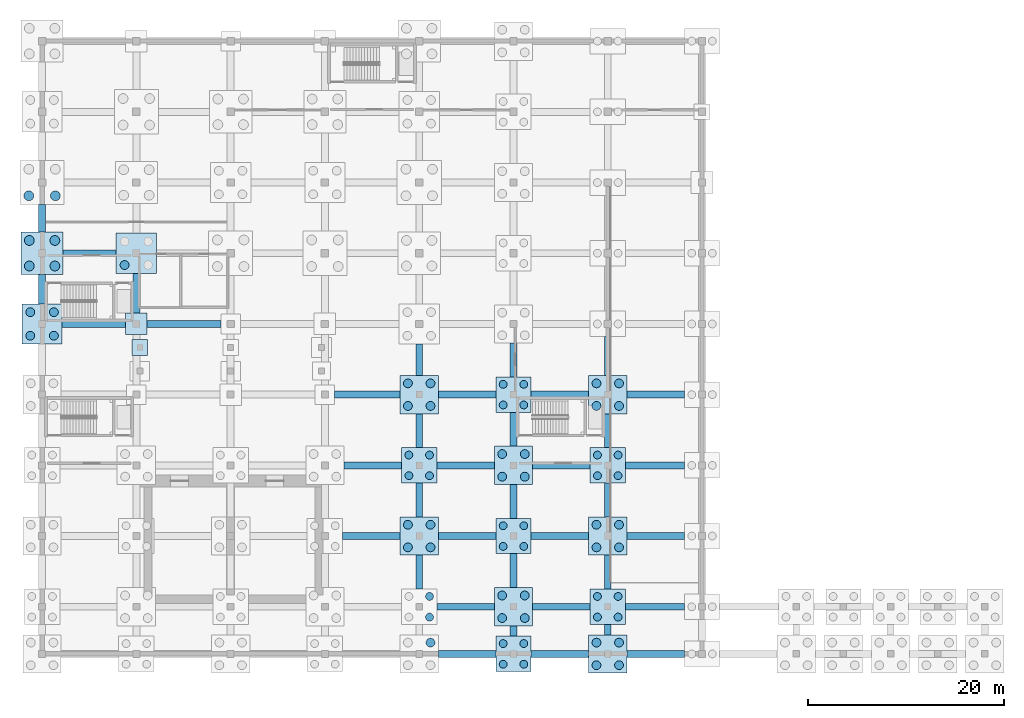
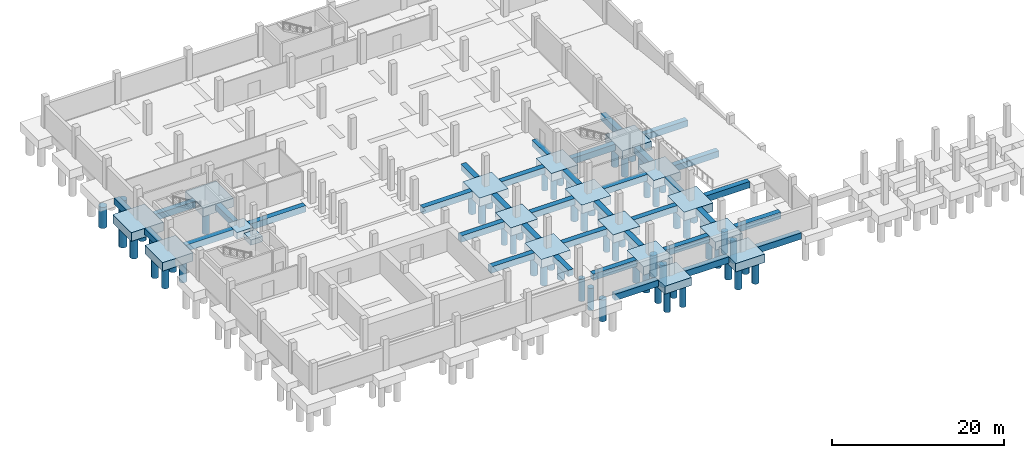
# One storey, part 2 of 13: 66 piles, 56 footings.
"""IFC4 building model written with IfcOpenShell, lengths in metres."""

from ifc_helpers import new_model, si_unit, direction, frame, origin, origin_2d, place, context, subcontext, project, spatial, rectangle, circle, extrude, material, material_profile, profile_set, type_object, element, save


model = new_model("IFC4")

# Units and contexts
model_context = context("Model", 3, precision=1e-05, world=origin(), true_north=direction((0.0, 1.0)))
body_context = subcontext(model_context, "Body", "Model", "MODEL_VIEW")
ifc_project = project(units=[si_unit("LENGTHUNIT", "METRE"), si_unit("AREAUNIT", "SQUARE_METRE"), si_unit("VOLUMEUNIT", "CUBIC_METRE"), si_unit("PLANEANGLEUNIT", "RADIAN"), si_unit("MASSUNIT", "GRAM", prefix="KILO")], contexts=[model_context])

# Site, building, storey
site_placement = place(None, origin())
site = spatial("IfcSite", under=ifc_project, at=site_placement, CompositionType="ELEMENT")
building_placement = place(site_placement, origin())
building = spatial("IfcBuilding", under=site, at=building_placement, Name="Asteropetra Specialist Clinic", CompositionType="ELEMENT")
storey_placement = place(building_placement, frame((0.0, 0.0, -4.419921875)))
storey = spatial("IfcBuildingStorey", under=building, at=storey_placement, Name="B1", CompositionType="ELEMENT", Elevation=-4.419921875)

# Footings
ifc_material_1 = material(Name="Concrete C35/45", Category="concrete")
ifc_material_profile_1 = material_profile(ifc_material_1, rectangle(XDim=0.699951171875, YDim=0.89990234375, at=origin_2d()), Name="FB 700x900")
ifc_profile_set_1 = profile_set([ifc_material_profile_1], Name="Concrete C35/45")
footing_type_1 = type_object("IfcFootingType", Name="FB-700x900", PredefinedType="FOOTING_BEAM", material=ifc_profile_set_1)
footing_1_placement = place(storey_placement, frame((2.050048828125, 33.60009765625, -0.4501953125), z_axis=(1.0, 0.0, 0.0), x_axis=(0.0, 1.0, 0.0)))
element("IfcFooting", 1, at=footing_1_placement, inside=storey, type_object=footing_type_1, Name="Footing Tie Beam FB-0011", PredefinedType="FOOTING_BEAM", context=body_context, shape_type="SweptSolid", body=[
    extrude(rectangle(XDim=0.699951171875, YDim=0.89990234375, at=origin_2d()), origin(), (0.0, 0.0, 1.0), 6.449951171875),
])
footing_2_placement = place(storey_placement, frame((0.0, 35.64990234375, -0.4501953125), z_axis=(0.0, 1.0, 0.0), x_axis=(-1.0, 0.0, 0.0)))
element("IfcFooting", 2, at=footing_2_placement, inside=storey, type_object=footing_type_1, Name="Footing Tie Beam FB-0012", PredefinedType="FOOTING_BEAM", context=body_context, shape_type="SweptSolid", body=[
    extrude(rectangle(XDim=0.699951171875, YDim=0.89990234375, at=origin_2d()), origin(), (0.0, 0.0, 1.0), 3.0),
])
footing_3_placement = place(storey_placement, frame((2.14990234375, 40.800048828125, -0.4501953125), z_axis=(1.0, 0.0, 0.0), x_axis=(0.0, 1.0, 0.0)))
element("IfcFooting", 3, at=footing_3_placement, inside=storey, type_object=footing_type_1, Name="Footing Tie Beam FB-0013", PredefinedType="FOOTING_BEAM", context=body_context, shape_type="SweptSolid", body=[
    extrude(rectangle(XDim=0.699951171875, YDim=0.89990234375, at=origin_2d()), origin(), (0.0, 0.0, 1.0), 5.400146484375),
])
footing_4_placement = place(storey_placement, frame((0.0, 42.949951171875, -0.4501953125), z_axis=(0.0, 1.0, 0.0), x_axis=(-1.0, 0.0, 0.0)))
element("IfcFooting", 4, at=footing_4_placement, inside=storey, type_object=footing_type_1, Name="Footing Tie Beam FB-0014", PredefinedType="FOOTING_BEAM", context=body_context, shape_type="SweptSolid", body=[
    extrude(rectangle(XDim=0.699951171875, YDim=0.89990234375, at=origin_2d()), origin(), (0.0, 0.0, 1.0), 2.800048828125),
])
footing_5_placement = place(storey_placement, frame((10.699951171875, 33.60009765625, -0.4501953125), z_axis=(1.0, 0.0, 0.0), x_axis=(0.0, 1.0, 0.0)))
element("IfcFooting", 5, at=footing_5_placement, inside=storey, type_object=footing_type_1, Name="Footing Tie Beam FB-0043", PredefinedType="FOOTING_BEAM", context=body_context, shape_type="SweptSolid", body=[
    extrude(rectangle(XDim=0.699951171875, YDim=0.89990234375, at=origin_2d()), origin(), (0.0, 0.0, 1.0), 7.5),
])
footing_6_placement = place(storey_placement, frame((9.60009765625, 34.699951171875, -0.4501953125), z_axis=(0.0, 1.0, 0.0), x_axis=(-1.0, 0.0, 0.0)))
element("IfcFooting", 6, at=footing_6_placement, inside=storey, type_object=footing_type_1, Name="Footing Tie Beam FB-0044", PredefinedType="FOOTING_BEAM", context=body_context, shape_type="SweptSolid", body=[
    extrude(rectangle(XDim=0.699951171875, YDim=0.89990234375, at=origin_2d()), origin(), (0.0, 0.0, 1.0), 4.050048828125),
])
footing_7_placement = place(storey_placement, frame((30.60009765625, 12.0, -0.4501953125), z_axis=(1.0, 0.0, 0.0), x_axis=(0.0, 1.0, 0.0)))
element("IfcFooting", 7, at=footing_7_placement, inside=storey, type_object=footing_type_1, Name="Footing Tie Beam FB-0094", PredefinedType="FOOTING_BEAM", context=body_context, shape_type="SweptSolid", body=[
    extrude(rectangle(XDim=0.699951171875, YDim=0.89990234375, at=origin_2d()), origin(), (0.0, 0.0, 1.0), 5.849853515625),
])
footing_8_placement = place(storey_placement, frame((30.75, 19.199951171875, -0.4501953125), z_axis=(1.0, 0.0, 0.0), x_axis=(0.0, 1.0, 0.0)))
element("IfcFooting", 8, at=footing_8_placement, inside=storey, type_object=footing_type_1, Name="Footing Tie Beam FB-0096", PredefinedType="FOOTING_BEAM", context=body_context, shape_type="SweptSolid", body=[
    extrude(rectangle(XDim=0.699951171875, YDim=0.89990234375, at=origin_2d()), origin(), (0.0, 0.0, 1.0), 5.85009765625),
])
footing_9_placement = place(storey_placement, frame((29.800048828125, 26.39990234375, -0.4501953125), z_axis=(1.0, 0.0, 0.0), x_axis=(0.0, 1.0, 0.0)))
element("IfcFooting", 9, at=footing_9_placement, inside=storey, type_object=footing_type_1, Name="Footing Tie Beam FB-0098", PredefinedType="FOOTING_BEAM", context=body_context, shape_type="SweptSolid", body=[
    extrude(rectangle(XDim=0.699951171875, YDim=0.89990234375, at=origin_2d()), origin(), (0.0, 0.0, 1.0), 6.64990234375),
])
footing_10_placement = place(storey_placement, frame((40.35009765625, 0.0, -0.4501953125), z_axis=(1.0, 0.0, 0.0), x_axis=(0.0, 1.0, 0.0)))
element("IfcFooting", 10, at=footing_10_placement, inside=storey, type_object=footing_type_1, Name="Footing Tie Beam FB-0122", PredefinedType="FOOTING_BEAM", context=body_context, shape_type="SweptSolid", body=[
    extrude(rectangle(XDim=0.699951171875, YDim=0.89990234375, at=origin_2d()), origin(), (0.0, 0.0, 1.0), 5.849853515625),
])
footing_11_placement = place(storey_placement, frame((40.199951171875, 4.800048828125, -0.4501953125), z_axis=(1.0, 0.0, 0.0), x_axis=(0.0, 1.0, 0.0)))
element("IfcFooting", 11, at=footing_11_placement, inside=storey, type_object=footing_type_1, Name="Footing Tie Beam FB-0124", PredefinedType="FOOTING_BEAM", context=body_context, shape_type="SweptSolid", body=[
    extrude(rectangle(XDim=0.699951171875, YDim=0.89990234375, at=origin_2d()), origin(), (0.0, 0.0, 1.0), 5.85009765625),
])
footing_12_placement = place(storey_placement, frame((38.39990234375, 6.60009765625, -0.4501953125), z_axis=(0.0, 1.0, 0.0), x_axis=(-1.0, 0.0, 0.0)))
element("IfcFooting", 12, at=footing_12_placement, inside=storey, type_object=footing_type_1, Name="Footing Tie Beam FB-0125", PredefinedType="FOOTING_BEAM", context=body_context, shape_type="SweptSolid", body=[
    extrude(rectangle(XDim=0.699951171875, YDim=0.89990234375, at=origin_2d()), origin(), (0.0, 0.0, 1.0), 3.449951171875),
])
footing_13_placement = place(storey_placement, frame((40.35009765625, 12.0, -0.4501953125), z_axis=(1.0, 0.0, 0.0), x_axis=(0.0, 1.0, 0.0)))
element("IfcFooting", 13, at=footing_13_placement, inside=storey, type_object=footing_type_1, Name="Footing Tie Beam FB-0126", PredefinedType="FOOTING_BEAM", context=body_context, shape_type="SweptSolid", body=[
    extrude(rectangle(XDim=0.699951171875, YDim=0.89990234375, at=origin_2d()), origin(), (0.0, 0.0, 1.0), 5.849853515625),
])
footing_14_placement = place(storey_placement, frame((38.39990234375, 13.949951171875, -0.4501953125), z_axis=(0.0, 1.0, 0.0), x_axis=(-1.0, 0.0, 0.0)))
element("IfcFooting", 14, at=footing_14_placement, inside=storey, type_object=footing_type_1, Name="Footing Tie Beam FB-0127", PredefinedType="FOOTING_BEAM", context=body_context, shape_type="SweptSolid", body=[
    extrude(rectangle(XDim=0.699951171875, YDim=0.89990234375, at=origin_2d()), origin(), (0.0, 0.0, 1.0), 3.449951171875),
])
footing_15_placement = place(storey_placement, frame((40.199951171875, 19.199951171875, -0.4501953125), z_axis=(1.0, 0.0, 0.0), x_axis=(0.0, 1.0, 0.0)))
element("IfcFooting", 15, at=footing_15_placement, inside=storey, type_object=footing_type_1, Name="Footing Tie Beam FB-0128", PredefinedType="FOOTING_BEAM", context=body_context, shape_type="SweptSolid", body=[
    extrude(rectangle(XDim=0.699951171875, YDim=0.89990234375, at=origin_2d()), origin(), (0.0, 0.0, 1.0), 5.85009765625),
])
footing_16_placement = place(storey_placement, frame((38.39990234375, 21.0, -0.4501953125), z_axis=(0.0, 1.0, 0.0), x_axis=(-1.0, 0.0, 0.0)))
element("IfcFooting", 16, at=footing_16_placement, inside=storey, type_object=footing_type_1, Name="Footing Tie Beam FB-0129", PredefinedType="FOOTING_BEAM", context=body_context, shape_type="SweptSolid", body=[
    extrude(rectangle(XDim=0.699951171875, YDim=0.89990234375, at=origin_2d()), origin(), (0.0, 0.0, 1.0), 3.449951171875),
])
footing_17_placement = place(storey_placement, frame((40.35009765625, 26.39990234375, -0.4501953125), z_axis=(1.0, 0.0, 0.0), x_axis=(0.0, 1.0, 0.0)))
element("IfcFooting", 17, at=footing_17_placement, inside=storey, type_object=footing_type_1, Name="Footing Tie Beam FB-0130", PredefinedType="FOOTING_BEAM", context=body_context, shape_type="SweptSolid", body=[
    extrude(rectangle(XDim=0.699951171875, YDim=0.89990234375, at=origin_2d()), origin(), (0.0, 0.0, 1.0), 5.849853515625),
])
footing_18_placement = place(storey_placement, frame((38.39990234375, 28.35009765625, -0.4501953125), z_axis=(0.0, 1.0, 0.0), x_axis=(-1.0, 0.0, 0.0)))
element("IfcFooting", 18, at=footing_18_placement, inside=storey, type_object=footing_type_1, Name="Footing Tie Beam FB-0131", PredefinedType="FOOTING_BEAM", context=body_context, shape_type="SweptSolid", body=[
    extrude(rectangle(XDim=0.699951171875, YDim=0.89990234375, at=origin_2d()), origin(), (0.0, 0.0, 1.0), 3.199951171875),
])
footing_19_placement = place(storey_placement, frame((49.800048828125, 0.0, -0.4501953125), z_axis=(1.0, 0.0, 0.0), x_axis=(0.0, 1.0, 0.0)))
element("IfcFooting", 19, at=footing_19_placement, inside=storey, type_object=footing_type_1, Name="Footing Tie Beam FB-0154", PredefinedType="FOOTING_BEAM", context=body_context, shape_type="SweptSolid", body=[
    extrude(rectangle(XDim=0.699951171875, YDim=0.89990234375, at=origin_2d()), origin(), (0.0, 0.0, 1.0), 5.849853515625),
])
footing_20_placement = place(storey_placement, frame((48.0, 1.800048828125, -0.4501953125), z_axis=(0.0, 1.0, 0.0), x_axis=(-1.0, 0.0, 0.0)))
element("IfcFooting", 20, at=footing_20_placement, inside=storey, type_object=footing_type_1, Name="Footing Tie Beam FB-0155", PredefinedType="FOOTING_BEAM", context=body_context, shape_type="SweptSolid", body=[
    extrude(rectangle(XDim=0.699951171875, YDim=0.89990234375, at=origin_2d()), origin(), (0.0, 0.0, 1.0), 1.050048828125),
])
footing_21_placement = place(storey_placement, frame((49.949951171875, 4.800048828125, -0.4501953125), z_axis=(1.0, 0.0, 0.0), x_axis=(0.0, 1.0, 0.0)))
element("IfcFooting", 21, at=footing_21_placement, inside=storey, type_object=footing_type_1, Name="Footing Tie Beam FB-0156", PredefinedType="FOOTING_BEAM", context=body_context, shape_type="SweptSolid", body=[
    extrude(rectangle(XDim=0.699951171875, YDim=0.89990234375, at=origin_2d()), origin(), (0.0, 0.0, 1.0), 5.85009765625),
])
footing_22_placement = place(storey_placement, frame((48.0, 6.75, -0.4501953125), z_axis=(0.0, 1.0, 0.0), x_axis=(-1.0, 0.0, 0.0)))
element("IfcFooting", 22, at=footing_22_placement, inside=storey, type_object=footing_type_1, Name="Footing Tie Beam FB-0157", PredefinedType="FOOTING_BEAM", context=body_context, shape_type="SweptSolid", body=[
    extrude(rectangle(XDim=0.699951171875, YDim=0.89990234375, at=origin_2d()), origin(), (0.0, 0.0, 1.0), 3.449951171875),
])
footing_23_placement = place(storey_placement, frame((49.800048828125, 12.0, -0.4501953125), z_axis=(1.0, 0.0, 0.0), x_axis=(0.0, 1.0, 0.0)))
element("IfcFooting", 23, at=footing_23_placement, inside=storey, type_object=footing_type_1, Name="Footing Tie Beam FB-0158", PredefinedType="FOOTING_BEAM", context=body_context, shape_type="SweptSolid", body=[
    extrude(rectangle(XDim=0.699951171875, YDim=0.89990234375, at=origin_2d()), origin(), (0.0, 0.0, 1.0), 5.849853515625),
])
footing_24_placement = place(storey_placement, frame((48.0, 13.800048828125, -0.4501953125), z_axis=(0.0, 1.0, 0.0), x_axis=(-1.0, 0.0, 0.0)))
element("IfcFooting", 24, at=footing_24_placement, inside=storey, type_object=footing_type_1, Name="Footing Tie Beam FB-0159", PredefinedType="FOOTING_BEAM", context=body_context, shape_type="SweptSolid", body=[
    extrude(rectangle(XDim=0.699951171875, YDim=0.89990234375, at=origin_2d()), origin(), (0.0, 0.0, 1.0), 3.449951171875),
])
footing_25_placement = place(storey_placement, frame((49.949951171875, 19.199951171875, -0.4501953125), z_axis=(1.0, 0.0, 0.0), x_axis=(0.0, 1.0, 0.0)))
element("IfcFooting", 25, at=footing_25_placement, inside=storey, type_object=footing_type_1, Name="Footing Tie Beam FB-0160", PredefinedType="FOOTING_BEAM", context=body_context, shape_type="SweptSolid", body=[
    extrude(rectangle(XDim=0.699951171875, YDim=0.89990234375, at=origin_2d()), origin(), (0.0, 0.0, 1.0), 5.85009765625),
])
footing_26_placement = place(storey_placement, frame((48.0, 21.14990234375, -0.4501953125), z_axis=(0.0, 1.0, 0.0), x_axis=(-1.0, 0.0, 0.0)))
element("IfcFooting", 26, at=footing_26_placement, inside=storey, type_object=footing_type_1, Name="Footing Tie Beam FB-0161", PredefinedType="FOOTING_BEAM", context=body_context, shape_type="SweptSolid", body=[
    extrude(rectangle(XDim=0.699951171875, YDim=0.89990234375, at=origin_2d()), origin(), (0.0, 0.0, 1.0), 3.4501953125),
])
footing_27_placement = place(storey_placement, frame((49.800048828125, 26.39990234375, -0.4501953125), z_axis=(1.0, 0.0, 0.0), x_axis=(0.0, 1.0, 0.0)))
element("IfcFooting", 27, at=footing_27_placement, inside=storey, type_object=footing_type_1, Name="Footing Tie Beam FB-0162", PredefinedType="FOOTING_BEAM", context=body_context, shape_type="SweptSolid", body=[
    extrude(rectangle(XDim=0.699951171875, YDim=0.89990234375, at=origin_2d()), origin(), (0.0, 0.0, 1.0), 5.849853515625),
])
footing_28_placement = place(storey_placement, frame((48.0, 28.199951171875, -0.4501953125), z_axis=(0.0, 1.0, 0.0), x_axis=(-1.0, 0.0, 0.0)))
element("IfcFooting", 28, at=footing_28_placement, inside=storey, type_object=footing_type_1, Name="Footing Tie Beam FB-0163", PredefinedType="FOOTING_BEAM", context=body_context, shape_type="SweptSolid", body=[
    extrude(rectangle(XDim=0.699951171875, YDim=0.89990234375, at=origin_2d()), origin(), (0.0, 0.0, 1.0), 3.449951171875),
])
footing_29_placement = place(storey_placement, frame((59.550048828125, 0.0, -0.4501953125), z_axis=(1.0, 0.0, 0.0), x_axis=(0.0, 1.0, 0.0)))
element("IfcFooting", 29, at=footing_29_placement, inside=storey, type_object=footing_type_1, Name="Footing Tie Beam FB-0183", PredefinedType="FOOTING_BEAM", context=body_context, shape_type="SweptSolid", body=[
    extrude(rectangle(XDim=0.699951171875, YDim=0.89990234375, at=origin_2d()), origin(), (0.0, 0.0, 1.0), 5.849853515625),
])
footing_30_placement = place(storey_placement, frame((57.60009765625, 1.949951171875, -0.4501953125), z_axis=(0.0, 1.0, 0.0), x_axis=(-1.0, 0.0, 0.0)))
element("IfcFooting", 30, at=footing_30_placement, inside=storey, type_object=footing_type_1, Name="Footing Tie Beam FB-0184", PredefinedType="FOOTING_BEAM", context=body_context, shape_type="SweptSolid", body=[
    extrude(rectangle(XDim=0.699951171875, YDim=0.89990234375, at=origin_2d()), origin(), (0.0, 0.0, 1.0), 1.050048828125),
])
footing_31_placement = place(storey_placement, frame((59.39990234375, 4.800048828125, -0.4501953125), z_axis=(1.0, 0.0, 0.0), x_axis=(0.0, 1.0, 0.0)))
element("IfcFooting", 31, at=footing_31_placement, inside=storey, type_object=footing_type_1, Name="Footing Tie Beam FB-0185", PredefinedType="FOOTING_BEAM", context=body_context, shape_type="SweptSolid", body=[
    extrude(rectangle(XDim=0.699951171875, YDim=0.89990234375, at=origin_2d()), origin(), (0.0, 0.0, 1.0), 6.0),
])
footing_32_placement = place(storey_placement, frame((57.60009765625, 6.60009765625, -0.4501953125), z_axis=(0.0, 1.0, 0.0), x_axis=(-1.0, 0.0, 0.0)))
element("IfcFooting", 32, at=footing_32_placement, inside=storey, type_object=footing_type_1, Name="Footing Tie Beam FB-0186", PredefinedType="FOOTING_BEAM", context=body_context, shape_type="SweptSolid", body=[
    extrude(rectangle(XDim=0.699951171875, YDim=0.89990234375, at=origin_2d()), origin(), (0.0, 0.0, 1.0), 3.449951171875),
])
footing_33_placement = place(storey_placement, frame((59.550048828125, 12.0, -0.4501953125), z_axis=(1.0, 0.0, 0.0), x_axis=(0.0, 1.0, 0.0)))
element("IfcFooting", 33, at=footing_33_placement, inside=storey, type_object=footing_type_1, Name="Footing Tie Beam FB-0187", PredefinedType="FOOTING_BEAM", context=body_context, shape_type="SweptSolid", body=[
    extrude(rectangle(XDim=0.699951171875, YDim=0.89990234375, at=origin_2d()), origin(), (0.0, 0.0, 1.0), 5.849853515625),
])
footing_34_placement = place(storey_placement, frame((57.60009765625, 13.949951171875, -0.4501953125), z_axis=(0.0, 1.0, 0.0), x_axis=(-1.0, 0.0, 0.0)))
element("IfcFooting", 34, at=footing_34_placement, inside=storey, type_object=footing_type_1, Name="Footing Tie Beam FB-0188", PredefinedType="FOOTING_BEAM", context=body_context, shape_type="SweptSolid", body=[
    extrude(rectangle(XDim=0.699951171875, YDim=0.89990234375, at=origin_2d()), origin(), (0.0, 0.0, 1.0), 3.449951171875),
])
footing_35_placement = place(storey_placement, frame((59.39990234375, 19.199951171875, -0.4501953125), z_axis=(1.0, 0.0, 0.0), x_axis=(0.0, 1.0, 0.0)))
element("IfcFooting", 35, at=footing_35_placement, inside=storey, type_object=footing_type_1, Name="Footing Tie Beam FB-0189", PredefinedType="FOOTING_BEAM", context=body_context, shape_type="SweptSolid", body=[
    extrude(rectangle(XDim=0.699951171875, YDim=0.89990234375, at=origin_2d()), origin(), (0.0, 0.0, 1.0), 6.0),
])
footing_36_placement = place(storey_placement, frame((57.60009765625, 21.0, -0.4501953125), z_axis=(0.0, 1.0, 0.0), x_axis=(-1.0, 0.0, 0.0)))
element("IfcFooting", 36, at=footing_36_placement, inside=storey, type_object=footing_type_1, Name="Footing Tie Beam FB-0190", PredefinedType="FOOTING_BEAM", context=body_context, shape_type="SweptSolid", body=[
    extrude(rectangle(XDim=0.699951171875, YDim=0.89990234375, at=origin_2d()), origin(), (0.0, 0.0, 1.0), 3.449951171875),
])
footing_37_placement = place(storey_placement, frame((59.550048828125, 26.39990234375, -0.4501953125), z_axis=(1.0, 0.0, 0.0), x_axis=(0.0, 1.0, 0.0)))
element("IfcFooting", 37, at=footing_37_placement, inside=storey, type_object=footing_type_1, Name="Footing Tie Beam FB-0191", PredefinedType="FOOTING_BEAM", context=body_context, shape_type="SweptSolid", body=[
    extrude(rectangle(XDim=0.699951171875, YDim=0.89990234375, at=origin_2d()), origin(), (0.0, 0.0, 1.0), 5.849853515625),
])
footing_38_placement = place(storey_placement, frame((57.60009765625, 28.35009765625, -0.4501953125), z_axis=(0.0, 1.0, 0.0), x_axis=(-1.0, 0.0, 0.0)))
element("IfcFooting", 38, at=footing_38_placement, inside=storey, type_object=footing_type_1, Name="Footing Tie Beam FB-0192", PredefinedType="FOOTING_BEAM", context=body_context, shape_type="SweptSolid", body=[
    extrude(rectangle(XDim=0.699951171875, YDim=0.89990234375, at=origin_2d()), origin(), (0.0, 0.0, 1.0), 3.949951171875),
])
ifc_material_2 = material(Name="Concrete C35/45", Category="concrete")
footing_type_2 = type_object("IfcFootingType", Name="PC-2800", PredefinedType="PILE_CAP", material=ifc_material_2)
for number, where, z_axis, x_axis, name in (
    (39, (38.39990234375, 19.199951171875, -1.150146484375), (0.0, 0.0, 1.0), (1.0, 0.0, 0.0), "Pile Cap PC-02-082"),
    (40, (48.0, 0.0, -1.150146484375), (0.0, 0.0, 1.0), (1.0, 0.0, 0.0), "Pile Cap PC-02-096"),
    (41, (48.0, 12.0, -1.150146484375), (0.0, 0.0, 1.0), (1.0, 0.0, 0.0), "Pile Cap PC-02-098"),
    (42, (48.0, 26.39990234375, -1.150146484375), (0.0, 0.0, 1.0), (1.0, 0.0, 0.0), "Pile Cap PC-02-100"),
    (43, (57.60009765625, 4.800048828125, -1.150146484375), (0.0, 0.0, 1.0), (1.0, 0.0, 0.0), "Pile Cap PC-02-114"),
    (44, (57.60009765625, 19.199951171875, -1.150146484375), (0.0, 0.0, 1.0), (1.0, 0.0, 0.0), "Pile Cap PC-02-116"),
):
    element("IfcFooting", number, at=place(storey_placement, frame(where, z_axis=z_axis, x_axis=x_axis)), inside=storey, type_object=footing_type_2, Name=name, PredefinedType="PILE_CAP", context=body_context, shape_type="SweptSolid", body=[
        extrude(rectangle(XDim=3.60009765625, YDim=3.60009765625, at=origin_2d()), origin(), (0.0, 0.0, 1.0), 1.14990234375),
    ])
ifc_material_3 = material(Name="Concrete C35/45", Category="concrete")
footing_type_3 = type_object("IfcFootingType", Name="PC-3000", PredefinedType="PILE_CAP", material=ifc_material_3)
for number, where, z_axis, x_axis, name in (
    (45, (38.39990234375, 12.0, -1.2001953125), (0.0, 0.0, 1.0), (1.0, 0.0, 0.0), "Pile Cap PC-03-081"),
    (46, (38.39990234375, 26.39990234375, -1.2001953125), (0.0, 0.0, 1.0), (1.0, 0.0, 0.0), "Pile Cap PC-03-083"),
    (47, (48.0, 4.800048828125, -1.2001953125), (0.0, 0.0, 1.0), (1.0, 0.0, 0.0), "Pile Cap PC-03-097"),
    (48, (48.0, 19.199951171875, -1.2001953125), (0.0, 0.0, 1.0), (1.0, 0.0, 0.0), "Pile Cap PC-03-099"),
    (49, (57.60009765625, 0.0, -1.2001953125), (0.0, 0.0, 1.0), (1.0, 0.0, 0.0), "Pile Cap PC-03-113"),
    (50, (57.60009765625, 12.0, -1.2001953125), (0.0, 0.0, 1.0), (1.0, 0.0, 0.0), "Pile Cap PC-03-115"),
    (51, (57.60009765625, 26.39990234375, -1.2001953125), (0.0, 0.0, 1.0), (1.0, 0.0, 0.0), "Pile Cap PC-03-117"),
):
    element("IfcFooting", number, at=place(storey_placement, frame(where, z_axis=z_axis, x_axis=x_axis)), inside=storey, type_object=footing_type_3, Name=name, PredefinedType="PILE_CAP", context=body_context, shape_type="SweptSolid", body=[
        extrude(rectangle(XDim=3.89990234375, YDim=3.89990234375, at=origin_2d()), origin(), (0.0, 0.0, 1.0), 1.199951171875),
    ])
ifc_material_4 = material(Name="Concrete C35/45", Category="concrete")
footing_type_4 = type_object("IfcFootingType", Name="PC-3200", PredefinedType="PILE_CAP", material=ifc_material_4)
for number, where, z_axis, x_axis, name in (
    (52, (0.0, 33.60009765625, -1.2001953125), (0.0, 0.0, 1.0), (1.0, 0.0, 0.0), "Pile Cap PC-04-006"),
    (53, (9.60009765625, 40.800048828125, -1.2001953125), (0.0, 0.0, 1.0), (1.0, 0.0, 0.0), "Pile Cap PC-04-024"),
):
    element("IfcFooting", number, at=place(storey_placement, frame(where, z_axis=z_axis, x_axis=x_axis)), inside=storey, type_object=footing_type_4, Name=name, PredefinedType="PILE_CAP", context=body_context, shape_type="SweptSolid", body=[
        extrude(rectangle(XDim=4.10009765625, YDim=4.10009765625, at=origin_2d()), origin(), (0.0, 0.0, 1.0), 1.199951171875),
    ])
ifc_material_5 = material(Name="Concrete C35/45", Category="concrete")
footing_type_5 = type_object("IfcFootingType", Name="PC-3400", PredefinedType="PILE_CAP", material=ifc_material_5)
footing_39_placement = place(storey_placement, frame((0.0, 40.800048828125, -1.25), z_axis=(0.0, 0.0, 1.0), x_axis=(1.0, 0.0, 0.0)))
element("IfcFooting", 54, at=footing_39_placement, inside=storey, type_object=footing_type_5, Name="Pile Cap PC-05-007", PredefinedType="PILE_CAP", context=body_context, shape_type="SweptSolid", body=[
    extrude(rectangle(XDim=4.300048828125, YDim=4.300048828125, at=origin_2d()), origin(), (0.0, 0.0, 1.0), 1.25),
])
ifc_material_6 = material(Name="Concrete C35/45", Category="concrete")
footing_type_6 = type_object("IfcFootingType", Name="PF-1600", PredefinedType="PAD_FOOTING", material=ifc_material_6)
footing_40_placement = place(storey_placement, frame((9.949951171875, 31.199951171875, -0.75), z_axis=(0.0, 0.0, 1.0), x_axis=(1.0, 0.0, 0.0)))
element("IfcFooting", 55, at=footing_40_placement, inside=storey, type_object=footing_type_6, Name="Pad Footing PF-01-036", PredefinedType="PAD_FOOTING", context=body_context, shape_type="SweptSolid", body=[
    extrude(rectangle(XDim=1.60009765625, YDim=1.60009765625, at=origin_2d()), origin(), (0.0, 0.0, 1.0), 0.75),
])
ifc_material_7 = material(Name="Concrete C35/45", Category="concrete")
footing_type_7 = type_object("IfcFootingType", Name="PF-2200", PredefinedType="PAD_FOOTING", material=ifc_material_7)
footing_41_placement = place(storey_placement, frame((9.60009765625, 33.60009765625, -0.900146484375), z_axis=(0.0, 0.0, 1.0), x_axis=(1.0, 0.0, 0.0)))
element("IfcFooting", 56, at=footing_41_placement, inside=storey, type_object=footing_type_7, Name="Pad Footing PF-04-023", PredefinedType="PAD_FOOTING", context=body_context, shape_type="SweptSolid", body=[
    extrude(rectangle(XDim=2.199951171875, YDim=2.199951171875, at=origin_2d()), origin(), (0.0, 0.0, 1.0), 0.89990234375),
])

# Piles
ifc_material_8 = material(Name="Concrete C35/45", Category="concrete")
ifc_material_profile_2 = material_profile(ifc_material_8, circle(Radius=0.5, at=origin_2d()), Name="PILE D1000")
ifc_profile_set_2 = profile_set([ifc_material_profile_2], Name="Concrete C35/45")
pile_type_1 = type_object("IfcPileType", Name="PILE-B1000", PredefinedType="BORED", material=ifc_profile_set_2)
for number, where, z_axis, x_axis, name in (
    (57, (-1.300048828125, 39.5, -1.150146484375), (0.0, 0.0, -1.0), (1.0, 0.0, 0.0), "Bored Pile PPL03-007-1"),
    (58, (1.300048828125, 39.5, -1.150146484375), (0.0, 0.0, -1.0), (1.0, 0.0, 0.0), "Bored Pile PPL03-007-2"),
    (59, (-1.300048828125, 42.10009765625, -1.150146484375), (0.0, 0.0, -1.0), (1.0, 0.0, 0.0), "Bored Pile PPL03-007-3"),
    (60, (1.300048828125, 42.10009765625, -1.150146484375), (0.0, 0.0, -1.0), (1.0, 0.0, 0.0), "Bored Pile PPL03-007-4"),
):
    element("IfcPile", number, at=place(storey_placement, frame(where, z_axis=z_axis, x_axis=x_axis)), inside=storey, type_object=pile_type_1, Name=name, PredefinedType="BORED", context=body_context, shape_type="SweptSolid", body=[
        extrude(circle(Radius=0.5, at=origin_2d()), origin(), (0.0, 0.0, 1.0), 3.050048828125),
    ])
for number, where, z_axis, x_axis, name in (
    (61, (-1.35009765625, 46.64990234375, -1.2001953125), (0.0, 0.0, -1.0), (1.0, 0.0, 0.0), "Bored Pile PPL03-008-1"),
    (62, (1.35009765625, 46.64990234375, -1.2001953125), (0.0, 0.0, -1.0), (1.0, 0.0, 0.0), "Bored Pile PPL03-008-2"),
):
    element("IfcPile", number, at=place(storey_placement, frame(where, z_axis=z_axis, x_axis=x_axis)), inside=storey, type_object=pile_type_1, Name=name, PredefinedType="BORED", context=body_context, shape_type="SweptSolid", body=[
        extrude(circle(Radius=0.5, at=origin_2d()), origin(), (0.0, 0.0, 1.0), 3.0),
    ])
ifc_material_9 = material(Name="Concrete C35/45", Category="concrete")
ifc_material_profile_3 = material_profile(ifc_material_9, circle(Radius=0.39990234375, at=origin_2d()), Name="PILE D800")
ifc_profile_set_3 = profile_set([ifc_material_profile_3], Name="Concrete C35/45")
pile_type_2 = type_object("IfcPileType", Name="PILE-B800", PredefinedType="BORED", material=ifc_profile_set_3)
for number, where, z_axis, x_axis, name in (
    (63, (39.449951171875, 3.75, -1.050048828125), (0.0, 0.0, -1.0), (1.0, 0.0, 0.0), "Bored Pile PPL01-080-2"),
    (64, (39.449951171875, 5.85009765625, -1.050048828125), (0.0, 0.0, -1.0), (1.0, 0.0, 0.0), "Bored Pile PPL01-080-4"),
    (65, (37.35009765625, 18.14990234375, -1.050048828125), (0.0, 0.0, -1.0), (1.0, 0.0, 0.0), "Bored Pile PPL01-082-1"),
    (66, (39.449951171875, 18.14990234375, -1.050048828125), (0.0, 0.0, -1.0), (1.0, 0.0, 0.0), "Bored Pile PPL01-082-2"),
    (67, (37.35009765625, 20.25, -1.050048828125), (0.0, 0.0, -1.0), (1.0, 0.0, 0.0), "Bored Pile PPL01-082-3"),
    (68, (39.449951171875, 20.25, -1.050048828125), (0.0, 0.0, -1.0), (1.0, 0.0, 0.0), "Bored Pile PPL01-082-4"),
    (69, (46.949951171875, -1.050048828125, -1.050048828125), (0.0, 0.0, -1.0), (1.0, 0.0, 0.0), "Bored Pile PPL01-096-1"),
    (70, (49.050048828125, -1.050048828125, -1.050048828125), (0.0, 0.0, -1.0), (1.0, 0.0, 0.0), "Bored Pile PPL01-096-2"),
    (71, (46.949951171875, 1.050048828125, -1.050048828125), (0.0, 0.0, -1.0), (1.0, 0.0, 0.0), "Bored Pile PPL01-096-3"),
    (72, (49.050048828125, 1.050048828125, -1.050048828125), (0.0, 0.0, -1.0), (1.0, 0.0, 0.0), "Bored Pile PPL01-096-4"),
    (73, (46.949951171875, 10.949951171875, -1.050048828125), (0.0, 0.0, -1.0), (1.0, 0.0, 0.0), "Bored Pile PPL01-098-1"),
    (74, (49.050048828125, 10.949951171875, -1.050048828125), (0.0, 0.0, -1.0), (1.0, 0.0, 0.0), "Bored Pile PPL01-098-2"),
    (75, (46.949951171875, 13.050048828125, -1.050048828125), (0.0, 0.0, -1.0), (1.0, 0.0, 0.0), "Bored Pile PPL01-098-3"),
    (76, (49.050048828125, 13.050048828125, -1.050048828125), (0.0, 0.0, -1.0), (1.0, 0.0, 0.0), "Bored Pile PPL01-098-4"),
    (77, (46.949951171875, 25.35009765625, -1.050048828125), (0.0, 0.0, -1.0), (1.0, 0.0, 0.0), "Bored Pile PPL01-100-1"),
    (78, (49.050048828125, 25.35009765625, -1.050048828125), (0.0, 0.0, -1.0), (1.0, 0.0, 0.0), "Bored Pile PPL01-100-2"),
    (79, (46.949951171875, 27.449951171875, -1.050048828125), (0.0, 0.0, -1.0), (1.0, 0.0, 0.0), "Bored Pile PPL01-100-3"),
    (80, (49.050048828125, 27.449951171875, -1.050048828125), (0.0, 0.0, -1.0), (1.0, 0.0, 0.0), "Bored Pile PPL01-100-4"),
    (81, (56.550048828125, 3.75, -1.050048828125), (0.0, 0.0, -1.0), (1.0, 0.0, 0.0), "Bored Pile PPL01-114-1"),
    (82, (58.64990234375, 3.75, -1.050048828125), (0.0, 0.0, -1.0), (1.0, 0.0, 0.0), "Bored Pile PPL01-114-2"),
    (83, (56.550048828125, 5.85009765625, -1.050048828125), (0.0, 0.0, -1.0), (1.0, 0.0, 0.0), "Bored Pile PPL01-114-3"),
    (84, (58.64990234375, 5.85009765625, -1.050048828125), (0.0, 0.0, -1.0), (1.0, 0.0, 0.0), "Bored Pile PPL01-114-4"),
    (85, (56.550048828125, 18.14990234375, -1.050048828125), (0.0, 0.0, -1.0), (1.0, 0.0, 0.0), "Bored Pile PPL01-116-1"),
    (86, (58.64990234375, 18.14990234375, -1.050048828125), (0.0, 0.0, -1.0), (1.0, 0.0, 0.0), "Bored Pile PPL01-116-2"),
    (87, (56.550048828125, 20.25, -1.050048828125), (0.0, 0.0, -1.0), (1.0, 0.0, 0.0), "Bored Pile PPL01-116-3"),
    (88, (58.64990234375, 20.25, -1.050048828125), (0.0, 0.0, -1.0), (1.0, 0.0, 0.0), "Bored Pile PPL01-116-4"),
):
    element("IfcPile", number, at=place(storey_placement, frame(where, z_axis=z_axis, x_axis=x_axis)), inside=storey, type_object=pile_type_2, Name=name, PredefinedType="BORED", context=body_context, shape_type="SweptSolid", body=[
        extrude(circle(Radius=0.39990234375, at=origin_2d()), origin(), (0.0, 0.0, 1.0), 3.14990234375),
    ])
ifc_material_10 = material(Name="Concrete C35/45", Category="concrete")
ifc_material_profile_4 = material_profile(ifc_material_10, circle(Radius=0.449951171875, at=origin_2d()), Name="PILE D900")
ifc_profile_set_4 = profile_set([ifc_material_profile_4], Name="Concrete C35/45")
pile_type_3 = type_object("IfcPileType", Name="PILE-B900", PredefinedType="BORED", material=ifc_profile_set_4)
for number, where, z_axis, x_axis, name in (
    (89, (-1.199951171875, 32.39990234375, -1.10009765625), (0.0, 0.0, -1.0), (1.0, 0.0, 0.0), "Bored Pile PPL02-006-1"),
    (90, (1.199951171875, 32.39990234375, -1.10009765625), (0.0, 0.0, -1.0), (1.0, 0.0, 0.0), "Bored Pile PPL02-006-2"),
    (91, (-1.199951171875, 34.800048828125, -1.10009765625), (0.0, 0.0, -1.0), (1.0, 0.0, 0.0), "Bored Pile PPL02-006-3"),
    (92, (1.199951171875, 34.800048828125, -1.10009765625), (0.0, 0.0, -1.0), (1.0, 0.0, 0.0), "Bored Pile PPL02-006-4"),
    (93, (8.39990234375, 39.60009765625, -1.10009765625), (0.0, 0.0, -1.0), (1.0, 0.0, 0.0), "Bored Pile PPL02-024-1"),
    (94, (39.550048828125, 1.14990234375, -1.10009765625), (0.0, 0.0, -1.0), (1.0, 0.0, 0.0), "Bored Pile PPL02-079-4"),
    (95, (37.25, 10.85009765625, -1.10009765625), (0.0, 0.0, -1.0), (1.0, 0.0, 0.0), "Bored Pile PPL02-081-1"),
    (96, (39.550048828125, 10.85009765625, -1.10009765625), (0.0, 0.0, -1.0), (1.0, 0.0, 0.0), "Bored Pile PPL02-081-2"),
    (97, (37.25, 13.14990234375, -1.10009765625), (0.0, 0.0, -1.0), (1.0, 0.0, 0.0), "Bored Pile PPL02-081-3"),
    (98, (39.550048828125, 13.14990234375, -1.10009765625), (0.0, 0.0, -1.0), (1.0, 0.0, 0.0), "Bored Pile PPL02-081-4"),
    (99, (37.25, 25.25, -1.10009765625), (0.0, 0.0, -1.0), (1.0, 0.0, 0.0), "Bored Pile PPL02-083-1"),
    (100, (39.550048828125, 25.25, -1.10009765625), (0.0, 0.0, -1.0), (1.0, 0.0, 0.0), "Bored Pile PPL02-083-2"),
    (101, (37.25, 27.550048828125, -1.10009765625), (0.0, 0.0, -1.0), (1.0, 0.0, 0.0), "Bored Pile PPL02-083-3"),
    (102, (39.550048828125, 27.550048828125, -1.10009765625), (0.0, 0.0, -1.0), (1.0, 0.0, 0.0), "Bored Pile PPL02-083-4"),
    (103, (46.85009765625, 3.64990234375, -1.10009765625), (0.0, 0.0, -1.0), (1.0, 0.0, 0.0), "Bored Pile PPL02-097-1"),
    (104, (49.14990234375, 3.64990234375, -1.10009765625), (0.0, 0.0, -1.0), (1.0, 0.0, 0.0), "Bored Pile PPL02-097-2"),
    (105, (46.85009765625, 5.949951171875, -1.10009765625), (0.0, 0.0, -1.0), (1.0, 0.0, 0.0), "Bored Pile PPL02-097-3"),
    (106, (49.14990234375, 5.949951171875, -1.10009765625), (0.0, 0.0, -1.0), (1.0, 0.0, 0.0), "Bored Pile PPL02-097-4"),
    (107, (46.85009765625, 18.050048828125, -1.10009765625), (0.0, 0.0, -1.0), (1.0, 0.0, 0.0), "Bored Pile PPL02-099-1"),
    (108, (49.14990234375, 18.050048828125, -1.10009765625), (0.0, 0.0, -1.0), (1.0, 0.0, 0.0), "Bored Pile PPL02-099-2"),
    (109, (46.85009765625, 20.35009765625, -1.10009765625), (0.0, 0.0, -1.0), (1.0, 0.0, 0.0), "Bored Pile PPL02-099-3"),
    (110, (49.14990234375, 20.35009765625, -1.10009765625), (0.0, 0.0, -1.0), (1.0, 0.0, 0.0), "Bored Pile PPL02-099-4"),
    (111, (56.449951171875, -1.14990234375, -1.10009765625), (0.0, 0.0, -1.0), (1.0, 0.0, 0.0), "Bored Pile PPL02-113-1"),
    (112, (58.75, -1.14990234375, -1.10009765625), (0.0, 0.0, -1.0), (1.0, 0.0, 0.0), "Bored Pile PPL02-113-2"),
    (113, (56.449951171875, 1.14990234375, -1.10009765625), (0.0, 0.0, -1.0), (1.0, 0.0, 0.0), "Bored Pile PPL02-113-3"),
    (114, (58.75, 1.14990234375, -1.10009765625), (0.0, 0.0, -1.0), (1.0, 0.0, 0.0), "Bored Pile PPL02-113-4"),
    (115, (56.449951171875, 10.85009765625, -1.10009765625), (0.0, 0.0, -1.0), (1.0, 0.0, 0.0), "Bored Pile PPL02-115-1"),
    (116, (58.75, 10.85009765625, -1.10009765625), (0.0, 0.0, -1.0), (1.0, 0.0, 0.0), "Bored Pile PPL02-115-2"),
    (117, (56.449951171875, 13.14990234375, -1.10009765625), (0.0, 0.0, -1.0), (1.0, 0.0, 0.0), "Bored Pile PPL02-115-3"),
    (118, (58.75, 13.14990234375, -1.10009765625), (0.0, 0.0, -1.0), (1.0, 0.0, 0.0), "Bored Pile PPL02-115-4"),
    (119, (56.449951171875, 25.25, -1.10009765625), (0.0, 0.0, -1.0), (1.0, 0.0, 0.0), "Bored Pile PPL02-117-1"),
    (120, (58.75, 25.25, -1.10009765625), (0.0, 0.0, -1.0), (1.0, 0.0, 0.0), "Bored Pile PPL02-117-2"),
    (121, (56.449951171875, 27.550048828125, -1.10009765625), (0.0, 0.0, -1.0), (1.0, 0.0, 0.0), "Bored Pile PPL02-117-3"),
    (122, (58.75, 27.550048828125, -1.10009765625), (0.0, 0.0, -1.0), (1.0, 0.0, 0.0), "Bored Pile PPL02-117-4"),
):
    element("IfcPile", number, at=place(storey_placement, frame(where, z_axis=z_axis, x_axis=x_axis)), inside=storey, type_object=pile_type_3, Name=name, PredefinedType="BORED", context=body_context, shape_type="SweptSolid", body=[
        extrude(circle(Radius=0.449951171875, at=origin_2d()), origin(), (0.0, 0.0, 1.0), 3.10009765625),
    ])

save(model, "model.ifc")
